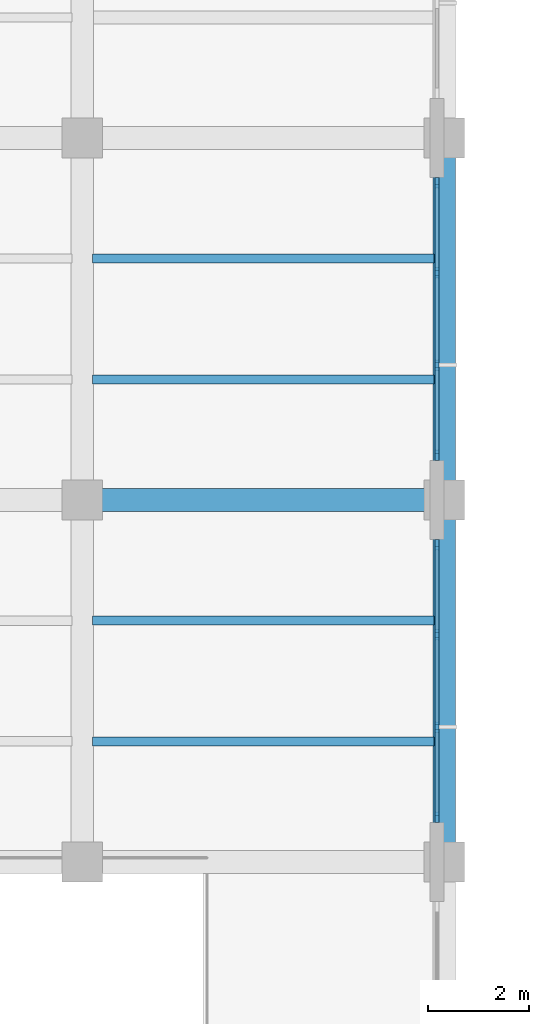
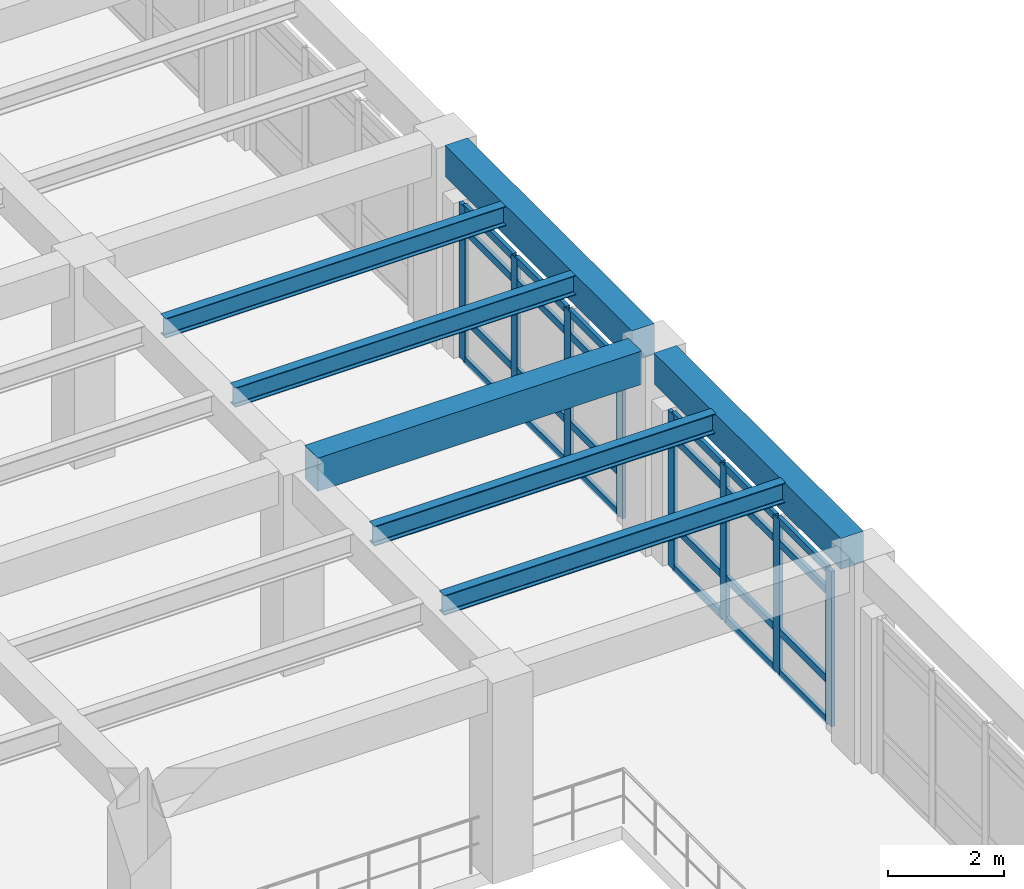
# One storey, part 12 of 67: 32 members, 7 beams, 2 elements without a shape of their own.
"""IFC4 building model written with IfcOpenShell, lengths in metres."""

from ifc_helpers import new_model, si_unit, direction, frame, origin, origin_2d, place, context, subcontext, project, spatial, rectangle, i_section, extrude, material, layer, layer_set, material_profile, profile_set, type_object, element, aggregate, save


model = new_model("IFC4")

# Units and contexts
model_context = context("Model", 3, precision=1e-05, world=origin(), true_north=direction((0.0, 1.0)))
body_context = subcontext(model_context, "Body", "Model", "MODEL_VIEW")
ifc_project = project(units=[si_unit("LENGTHUNIT", "METRE"), si_unit("AREAUNIT", "SQUARE_METRE"), si_unit("VOLUMEUNIT", "CUBIC_METRE"), si_unit("PLANEANGLEUNIT", "RADIAN"), si_unit("MASSUNIT", "GRAM", prefix="KILO")], contexts=[model_context])

# Site, building, storey
site_placement = place(None, origin())
site = spatial("IfcSite", under=ifc_project, at=site_placement, CompositionType="ELEMENT")
building_placement = place(site_placement, origin())
building = spatial("IfcBuilding", under=site, at=building_placement, Name="Solenvale Faculty of Natural Sciences", CompositionType="ELEMENT")
storey_placement = place(building_placement, frame((0.0, 0.0, 13.5)))
storey = spatial("IfcBuildingStorey", under=building, at=storey_placement, Name="L03", CompositionType="ELEMENT", Elevation=13.5)

# Beams
ifc_material_1 = material(Name="Concrete 40 MPa", Category="concrete")
ifc_material_profile_1 = material_profile(ifc_material_1, rectangle(XDim=0.449951171875, YDim=0.64990234375, at=origin_2d()), Name="RC-BM-450x650")
ifc_profile_set_1 = profile_set([ifc_material_profile_1], Name="Concrete 40 MPa")
beam_type_1 = type_object("IfcBeamType", Name="BM-RC-450x650", PredefinedType="BEAM", material=ifc_profile_set_1)
for number, where, z_axis, x_axis, name in (
    (1, (57.60009765625, 65.179931640625, 3.89501953125), (0.0, 1.0, 0.0), (-1.0, 0.0, 0.0), "L03 Y-Girder X57.6 (64.8..72.0)"),
    (2, (57.60009765625, 72.3798828125, 3.89501953125), (0.0, 1.0, 0.0), (-1.0, 0.0, 0.0), "L03 Y-Girder X57.6 (72.0..79.2)"),
):
    element("IfcBeam", number, at=place(storey_placement, frame(where, z_axis=z_axis, x_axis=x_axis)), inside=storey, type_object=beam_type_1, Name=name, PredefinedType="BEAM", context=body_context, shape_type="SweptSolid", body=[
        extrude(rectangle(XDim=0.449951171875, YDim=0.64990234375, at=origin_2d()), origin(), (0.0, 0.0, 1.0), 6.440185546875),
    ])
ifc_material_profile_2 = material_profile(ifc_material_1, rectangle(XDim=0.449951171875, YDim=0.699951171875, at=origin_2d()), Name="RC-BM-450x700")
ifc_profile_set_2 = profile_set([ifc_material_profile_2], Name="Concrete 40 MPa")
beam_type_2 = type_object("IfcBeamType", Name="BM-RC-450x700", PredefinedType="BEAM", material=ifc_profile_set_2)
beam_placement = place(storey_placement, frame((50.780029296875, 72.0, 3.8701171875), z_axis=(1.0, 0.0, 0.0), x_axis=(0.0, 1.0, 0.0)))
element("IfcBeam", 3, at=beam_placement, inside=storey, type_object=beam_type_2, Name="L03 X-Girder Y72.0 (50.4..57.6)", PredefinedType="BEAM", context=body_context, shape_type="SweptSolid", body=[
    extrude(rectangle(XDim=0.449951171875, YDim=0.699951171875, at=origin_2d()), origin(), (0.0, 0.0, 1.0), 6.43994140625),
])
ifc_material_2 = material(Name="Steel S355", Category="steel")
ifc_material_profile_3 = material_profile(ifc_material_2, i_section(OverallWidth=0.178955078125, OverallDepth=0.409912109375, WebThickness=0.0087890625, FlangeThickness=0.014404296875, FilletRadius=0.01611328125, at=origin_2d()), Name="W410x67")
ifc_profile_set_3 = profile_set([ifc_material_profile_3], Name="Steel S355")
beam_type_3 = type_object("IfcBeamType", Name="BM-STL-W410x67", PredefinedType="JOIST", material=ifc_profile_set_3)
for number, where, z_axis, x_axis, name in (
    (4, (50.60498046875, 74.39990234375, 4.014892578125), (1.0, 0.0, 0.0), (0.0, 1.0, 0.0), "L03 Composite Floor Joist (8,11).1"),
    (5, (50.60498046875, 76.800048828125, 4.014892578125), (1.0, 0.0, 0.0), (0.0, 1.0, 0.0), "L03 Composite Floor Joist (8,11).2"),
):
    element("IfcBeam", number, at=place(storey_placement, frame(where, z_axis=z_axis, x_axis=x_axis)), inside=storey, type_object=beam_type_3, Name=name, PredefinedType="JOIST", context=body_context, shape_type="SweptSolid", body=[
        extrude(i_section(OverallWidth=0.178955078125, OverallDepth=0.409912109375, WebThickness=0.0087890625, FlangeThickness=0.014404296875, FilletRadius=0.01611328125, at=origin_2d()), origin(), (0.0, 0.0, 1.0), 6.7900390625),
    ])
ifc_material_profile_4 = material_profile(ifc_material_2, i_section(OverallWidth=0.180908203125, OverallDepth=0.4169921875, WebThickness=0.010986328125, FlangeThickness=0.018310546875, FilletRadius=0.01611328125, at=origin_2d()), Name="W410x85")
ifc_profile_set_4 = profile_set([ifc_material_profile_4], Name="Steel S355")
beam_type_4 = type_object("IfcBeamType", Name="BM-STL-W410x85", PredefinedType="JOIST", material=ifc_profile_set_4)
for number, where, z_axis, x_axis, name in (
    (6, (50.60498046875, 67.199951171875, 4.011474609375), (1.0, 0.0, 0.0), (0.0, 1.0, 0.0), "L03 Composite Floor Joist (8,10).1"),
    (7, (50.60498046875, 69.60009765625, 4.011474609375), (1.0, 0.0, 0.0), (0.0, 1.0, 0.0), "L03 Composite Floor Joist (8,10).2"),
):
    element("IfcBeam", number, at=place(storey_placement, frame(where, z_axis=z_axis, x_axis=x_axis)), inside=storey, type_object=beam_type_4, Name=name, PredefinedType="JOIST", context=body_context, shape_type="SweptSolid", body=[
        extrude(i_section(OverallWidth=0.180908203125, OverallDepth=0.4169921875, WebThickness=0.010986328125, FlangeThickness=0.018310546875, FilletRadius=0.01611328125, at=origin_2d()), origin(), (0.0, 0.0, 1.0), 6.7900390625),
    ])

# Curtain wall, members
ifc_material_3 = material(Name="Anodised bronze aluminium", Category="aluminium")
ifc_layer = layer(ifc_material_3, 0.215087890625)
ifc_layer_set = layer_set([ifc_layer], Name="Anodised bronze aluminium")
curtain_wall_type = type_object("IfcCurtainWallType", Name="CW-ATR-UNIT", PredefinedType="USERDEFINED", material=ifc_layer_set)
curtain_wall_1_placement = place(storey_placement, origin())
curtain_wall_1 = element("IfcCurtainWall", 8, at=curtain_wall_1_placement, inside=storey, type_object=curtain_wall_type, Name="L03 Curtain Wall CW-L03-P1-E1-B5", ObjectType="UNITISED CURTAIN WALL", PredefinedType="USERDEFINED")
ifc_material_profile_5 = material_profile(ifc_material_3, rectangle(XDim=0.074951171875, YDim=0.2099609375, at=origin_2d()), Name="ALU-MUL-75x210")
ifc_profile_set_5 = profile_set([ifc_material_profile_5], Name="Anodised bronze aluminium")
member_type_1 = type_object("IfcMemberType", Name="CWM-ALU-75x210", PredefinedType="MULLION", material=ifc_profile_set_5)
member_1_placement = place(storey_placement, frame((57.45751953125, 65.6875, 0.0), z_axis=(0.0, 0.0, 1.0), x_axis=(-1.0, 0.0, 0.0)))
member_1 = element("IfcMember", 9, at=member_1_placement, type_object=member_type_1, Name="CW-01 mullion 1", PredefinedType="MULLION", context=body_context, shape_type="SweptSolid", body=[
    extrude(rectangle(XDim=0.074951171875, YDim=0.2099609375, at=origin_2d()), origin(), (0.0, 0.0, 1.0), 3.260009765625),
])
member_2_placement = place(storey_placement, frame((57.45751953125, 67.4833984375, 0.0), z_axis=(0.0, 0.0, 1.0), x_axis=(-1.0, 0.0, 0.0)))
member_2 = element("IfcMember", 10, at=member_2_placement, type_object=member_type_1, Name="CW-01 mullion 2", PredefinedType="MULLION", context=body_context, shape_type="SweptSolid", body=[
    extrude(rectangle(XDim=0.074951171875, YDim=0.2099609375, at=origin_2d()), origin(), (0.0, 0.0, 1.0), 3.260009765625),
])
member_3_placement = place(storey_placement, frame((57.45751953125, 69.316650390625, 0.0), z_axis=(0.0, 0.0, 1.0), x_axis=(-1.0, 0.0, 0.0)))
member_3 = element("IfcMember", 11, at=member_3_placement, type_object=member_type_1, Name="CW-01 mullion 3", PredefinedType="MULLION", context=body_context, shape_type="SweptSolid", body=[
    extrude(rectangle(XDim=0.074951171875, YDim=0.2099609375, at=origin_2d()), origin(), (0.0, 0.0, 1.0), 3.260009765625),
])
member_4_placement = place(storey_placement, frame((57.45751953125, 71.112548828125, 0.0), z_axis=(0.0, 0.0, 1.0), x_axis=(-1.0, 0.0, 0.0)))
member_4 = element("IfcMember", 12, at=member_4_placement, type_object=member_type_1, Name="CW-01 mullion 4", PredefinedType="MULLION", context=body_context, shape_type="SweptSolid", body=[
    extrude(rectangle(XDim=0.074951171875, YDim=0.2099609375, at=origin_2d()), origin(), (0.0, 0.0, 1.0), 3.260009765625),
])

curtain_wall_2_placement = place(storey_placement, origin())
curtain_wall_2 = element("IfcCurtainWall", 13, at=curtain_wall_2_placement, inside=storey, type_object=curtain_wall_type, Name="L03 Curtain Wall CW-L03-P1-E1-B6", ObjectType="UNITISED CURTAIN WALL", PredefinedType="USERDEFINED")
member_5_placement = place(storey_placement, frame((57.45751953125, 72.887451171875, 0.0), z_axis=(0.0, 0.0, 1.0), x_axis=(-1.0, 0.0, 0.0)))
member_5 = element("IfcMember", 14, at=member_5_placement, type_object=member_type_1, Name="CW-01 mullion 1", PredefinedType="MULLION", context=body_context, shape_type="SweptSolid", body=[
    extrude(rectangle(XDim=0.074951171875, YDim=0.2099609375, at=origin_2d()), origin(), (0.0, 0.0, 1.0), 3.260009765625),
])
member_6_placement = place(storey_placement, frame((57.45751953125, 74.683349609375, 0.0), z_axis=(0.0, 0.0, 1.0), x_axis=(-1.0, 0.0, 0.0)))
member_6 = element("IfcMember", 15, at=member_6_placement, type_object=member_type_1, Name="CW-01 mullion 2", PredefinedType="MULLION", context=body_context, shape_type="SweptSolid", body=[
    extrude(rectangle(XDim=0.074951171875, YDim=0.2099609375, at=origin_2d()), origin(), (0.0, 0.0, 1.0), 3.260009765625),
])
member_7_placement = place(storey_placement, frame((57.45751953125, 76.5166015625, 0.0), z_axis=(0.0, 0.0, 1.0), x_axis=(-1.0, 0.0, 0.0)))
member_7 = element("IfcMember", 16, at=member_7_placement, type_object=member_type_1, Name="CW-01 mullion 3", PredefinedType="MULLION", context=body_context, shape_type="SweptSolid", body=[
    extrude(rectangle(XDim=0.074951171875, YDim=0.2099609375, at=origin_2d()), origin(), (0.0, 0.0, 1.0), 3.260009765625),
])
member_8_placement = place(storey_placement, frame((57.45751953125, 78.3125, 0.0), z_axis=(0.0, 0.0, 1.0), x_axis=(-1.0, 0.0, 0.0)))
member_8 = element("IfcMember", 17, at=member_8_placement, type_object=member_type_1, Name="CW-01 mullion 4", PredefinedType="MULLION", context=body_context, shape_type="SweptSolid", body=[
    extrude(rectangle(XDim=0.074951171875, YDim=0.2099609375, at=origin_2d()), origin(), (0.0, 0.0, 1.0), 3.260009765625),
])

# Member
ifc_material_profile_6 = material_profile(ifc_material_3, rectangle(XDim=0.074951171875, YDim=0.155029296875, at=origin_2d()), Name="ALU-TRN-75x155")
ifc_profile_set_6 = profile_set([ifc_material_profile_6], Name="Anodised bronze aluminium")
member_type_2 = type_object("IfcMemberType", Name="CWT-ALU-75x155", PredefinedType="USERDEFINED", material=ifc_profile_set_6)
member_9_placement = place(storey_placement, frame((57.45751953125, 65.72509765625, 0.03759765625), z_axis=(0.0, 1.0, 0.0), x_axis=(-1.0, 0.0, 0.0)))
member_9 = element("IfcMember", 18, at=member_9_placement, type_object=member_type_2, Name="CW-01 transom 1.1", ObjectType="TRANSOM", PredefinedType="USERDEFINED", context=body_context, shape_type="SweptSolid", body=[
    extrude(rectangle(XDim=0.074951171875, YDim=0.155029296875, at=origin_2d()), origin(), (0.0, 0.0, 1.0), 1.720703125),
])

member_10_placement = place(storey_placement, frame((57.45751953125, 65.72509765625, 0.89990234375), z_axis=(0.0, 1.0, 0.0), x_axis=(-1.0, 0.0, 0.0)))
member_10 = element("IfcMember", 19, at=member_10_placement, type_object=member_type_2, Name="CW-01 transom 1.2", ObjectType="TRANSOM", PredefinedType="USERDEFINED", context=body_context, shape_type="SweptSolid", body=[
    extrude(rectangle(XDim=0.074951171875, YDim=0.155029296875, at=origin_2d()), origin(), (0.0, 0.0, 1.0), 1.720703125),
])

member_11_placement = place(storey_placement, frame((57.45751953125, 65.72509765625, 2.760009765625), z_axis=(0.0, 1.0, 0.0), x_axis=(-1.0, 0.0, 0.0)))
member_11 = element("IfcMember", 20, at=member_11_placement, type_object=member_type_2, Name="CW-01 transom 1.3", ObjectType="TRANSOM", PredefinedType="USERDEFINED", context=body_context, shape_type="SweptSolid", body=[
    extrude(rectangle(XDim=0.074951171875, YDim=0.155029296875, at=origin_2d()), origin(), (0.0, 0.0, 1.0), 1.720703125),
])

member_12_placement = place(storey_placement, frame((57.45751953125, 65.72509765625, 3.222412109375), z_axis=(0.0, 1.0, 0.0), x_axis=(-1.0, 0.0, 0.0)))
member_12 = element("IfcMember", 21, at=member_12_placement, type_object=member_type_2, Name="CW-01 transom 1.4", ObjectType="TRANSOM", PredefinedType="USERDEFINED", context=body_context, shape_type="SweptSolid", body=[
    extrude(rectangle(XDim=0.074951171875, YDim=0.155029296875, at=origin_2d()), origin(), (0.0, 0.0, 1.0), 1.720703125),
])

member_13_placement = place(storey_placement, frame((57.45751953125, 67.520751953125, 0.03759765625), z_axis=(0.0, 1.0, 0.0), x_axis=(-1.0, 0.0, 0.0)))
member_13 = element("IfcMember", 22, at=member_13_placement, type_object=member_type_2, Name="CW-01 transom 2.1", ObjectType="TRANSOM", PredefinedType="USERDEFINED", context=body_context, shape_type="SweptSolid", body=[
    extrude(rectangle(XDim=0.074951171875, YDim=0.155029296875, at=origin_2d()), origin(), (0.0, 0.0, 1.0), 1.75830078125),
])

member_14_placement = place(storey_placement, frame((57.45751953125, 67.520751953125, 0.89990234375), z_axis=(0.0, 1.0, 0.0), x_axis=(-1.0, 0.0, 0.0)))
member_14 = element("IfcMember", 23, at=member_14_placement, type_object=member_type_2, Name="CW-01 transom 2.2", ObjectType="TRANSOM", PredefinedType="USERDEFINED", context=body_context, shape_type="SweptSolid", body=[
    extrude(rectangle(XDim=0.074951171875, YDim=0.155029296875, at=origin_2d()), origin(), (0.0, 0.0, 1.0), 1.75830078125),
])

member_15_placement = place(storey_placement, frame((57.45751953125, 67.520751953125, 2.760009765625), z_axis=(0.0, 1.0, 0.0), x_axis=(-1.0, 0.0, 0.0)))
member_15 = element("IfcMember", 24, at=member_15_placement, type_object=member_type_2, Name="CW-01 transom 2.3", ObjectType="TRANSOM", PredefinedType="USERDEFINED", context=body_context, shape_type="SweptSolid", body=[
    extrude(rectangle(XDim=0.074951171875, YDim=0.155029296875, at=origin_2d()), origin(), (0.0, 0.0, 1.0), 1.75830078125),
])

member_16_placement = place(storey_placement, frame((57.45751953125, 67.520751953125, 3.222412109375), z_axis=(0.0, 1.0, 0.0), x_axis=(-1.0, 0.0, 0.0)))
member_16 = element("IfcMember", 25, at=member_16_placement, type_object=member_type_2, Name="CW-01 transom 2.4", ObjectType="TRANSOM", PredefinedType="USERDEFINED", context=body_context, shape_type="SweptSolid", body=[
    extrude(rectangle(XDim=0.074951171875, YDim=0.155029296875, at=origin_2d()), origin(), (0.0, 0.0, 1.0), 1.75830078125),
])

member_17_placement = place(storey_placement, frame((57.45751953125, 69.354248046875, 0.03759765625), z_axis=(0.0, 1.0, 0.0), x_axis=(-1.0, 0.0, 0.0)))
member_17 = element("IfcMember", 26, at=member_17_placement, type_object=member_type_2, Name="CW-01 transom 3.1", ObjectType="TRANSOM", PredefinedType="USERDEFINED", context=body_context, shape_type="SweptSolid", body=[
    extrude(rectangle(XDim=0.074951171875, YDim=0.155029296875, at=origin_2d()), origin(), (0.0, 0.0, 1.0), 1.720703125),
])

member_18_placement = place(storey_placement, frame((57.45751953125, 69.354248046875, 0.89990234375), z_axis=(0.0, 1.0, 0.0), x_axis=(-1.0, 0.0, 0.0)))
member_18 = element("IfcMember", 27, at=member_18_placement, type_object=member_type_2, Name="CW-01 transom 3.2", ObjectType="TRANSOM", PredefinedType="USERDEFINED", context=body_context, shape_type="SweptSolid", body=[
    extrude(rectangle(XDim=0.074951171875, YDim=0.155029296875, at=origin_2d()), origin(), (0.0, 0.0, 1.0), 1.720703125),
])

member_19_placement = place(storey_placement, frame((57.45751953125, 69.354248046875, 2.760009765625), z_axis=(0.0, 1.0, 0.0), x_axis=(-1.0, 0.0, 0.0)))
member_19 = element("IfcMember", 28, at=member_19_placement, type_object=member_type_2, Name="CW-01 transom 3.3", ObjectType="TRANSOM", PredefinedType="USERDEFINED", context=body_context, shape_type="SweptSolid", body=[
    extrude(rectangle(XDim=0.074951171875, YDim=0.155029296875, at=origin_2d()), origin(), (0.0, 0.0, 1.0), 1.720703125),
])

member_20_placement = place(storey_placement, frame((57.45751953125, 69.354248046875, 3.222412109375), z_axis=(0.0, 1.0, 0.0), x_axis=(-1.0, 0.0, 0.0)))
member_20 = element("IfcMember", 29, at=member_20_placement, type_object=member_type_2, Name="CW-01 transom 3.4", ObjectType="TRANSOM", PredefinedType="USERDEFINED", context=body_context, shape_type="SweptSolid", body=[
    extrude(rectangle(XDim=0.074951171875, YDim=0.155029296875, at=origin_2d()), origin(), (0.0, 0.0, 1.0), 1.720703125),
])

aggregate(curtain_wall_1, [member_1, member_2, member_3, member_4, member_9, member_10, member_11, member_12, member_13, member_14, member_15, member_16, member_17, member_18, member_19, member_20])

member_21_placement = place(storey_placement, frame((57.45751953125, 72.925048828125, 0.03759765625), z_axis=(0.0, 1.0, 0.0), x_axis=(-1.0, 0.0, 0.0)))
member_21 = element("IfcMember", 30, at=member_21_placement, type_object=member_type_2, Name="CW-01 transom 1.1", ObjectType="TRANSOM", PredefinedType="USERDEFINED", context=body_context, shape_type="SweptSolid", body=[
    extrude(rectangle(XDim=0.074951171875, YDim=0.155029296875, at=origin_2d()), origin(), (0.0, 0.0, 1.0), 1.720703125),
])

member_22_placement = place(storey_placement, frame((57.45751953125, 72.925048828125, 0.89990234375), z_axis=(0.0, 1.0, 0.0), x_axis=(-1.0, 0.0, 0.0)))
member_22 = element("IfcMember", 31, at=member_22_placement, type_object=member_type_2, Name="CW-01 transom 1.2", ObjectType="TRANSOM", PredefinedType="USERDEFINED", context=body_context, shape_type="SweptSolid", body=[
    extrude(rectangle(XDim=0.074951171875, YDim=0.155029296875, at=origin_2d()), origin(), (0.0, 0.0, 1.0), 1.720703125),
])

member_23_placement = place(storey_placement, frame((57.45751953125, 72.925048828125, 2.760009765625), z_axis=(0.0, 1.0, 0.0), x_axis=(-1.0, 0.0, 0.0)))
member_23 = element("IfcMember", 32, at=member_23_placement, type_object=member_type_2, Name="CW-01 transom 1.3", ObjectType="TRANSOM", PredefinedType="USERDEFINED", context=body_context, shape_type="SweptSolid", body=[
    extrude(rectangle(XDim=0.074951171875, YDim=0.155029296875, at=origin_2d()), origin(), (0.0, 0.0, 1.0), 1.720703125),
])

member_24_placement = place(storey_placement, frame((57.45751953125, 72.925048828125, 3.222412109375), z_axis=(0.0, 1.0, 0.0), x_axis=(-1.0, 0.0, 0.0)))
member_24 = element("IfcMember", 33, at=member_24_placement, type_object=member_type_2, Name="CW-01 transom 1.4", ObjectType="TRANSOM", PredefinedType="USERDEFINED", context=body_context, shape_type="SweptSolid", body=[
    extrude(rectangle(XDim=0.074951171875, YDim=0.155029296875, at=origin_2d()), origin(), (0.0, 0.0, 1.0), 1.720703125),
])

member_25_placement = place(storey_placement, frame((57.45751953125, 74.720947265625, 0.03759765625), z_axis=(0.0, 1.0, 0.0), x_axis=(-1.0, 0.0, 0.0)))
member_25 = element("IfcMember", 34, at=member_25_placement, type_object=member_type_2, Name="CW-01 transom 2.1", ObjectType="TRANSOM", PredefinedType="USERDEFINED", context=body_context, shape_type="SweptSolid", body=[
    extrude(rectangle(XDim=0.074951171875, YDim=0.155029296875, at=origin_2d()), origin(), (0.0, 0.0, 1.0), 1.75830078125),
])

member_26_placement = place(storey_placement, frame((57.45751953125, 74.720947265625, 0.89990234375), z_axis=(0.0, 1.0, 0.0), x_axis=(-1.0, 0.0, 0.0)))
member_26 = element("IfcMember", 35, at=member_26_placement, type_object=member_type_2, Name="CW-01 transom 2.2", ObjectType="TRANSOM", PredefinedType="USERDEFINED", context=body_context, shape_type="SweptSolid", body=[
    extrude(rectangle(XDim=0.074951171875, YDim=0.155029296875, at=origin_2d()), origin(), (0.0, 0.0, 1.0), 1.75830078125),
])

member_27_placement = place(storey_placement, frame((57.45751953125, 74.720947265625, 2.760009765625), z_axis=(0.0, 1.0, 0.0), x_axis=(-1.0, 0.0, 0.0)))
member_27 = element("IfcMember", 36, at=member_27_placement, type_object=member_type_2, Name="CW-01 transom 2.3", ObjectType="TRANSOM", PredefinedType="USERDEFINED", context=body_context, shape_type="SweptSolid", body=[
    extrude(rectangle(XDim=0.074951171875, YDim=0.155029296875, at=origin_2d()), origin(), (0.0, 0.0, 1.0), 1.75830078125),
])

member_28_placement = place(storey_placement, frame((57.45751953125, 74.720947265625, 3.222412109375), z_axis=(0.0, 1.0, 0.0), x_axis=(-1.0, 0.0, 0.0)))
member_28 = element("IfcMember", 37, at=member_28_placement, type_object=member_type_2, Name="CW-01 transom 2.4", ObjectType="TRANSOM", PredefinedType="USERDEFINED", context=body_context, shape_type="SweptSolid", body=[
    extrude(rectangle(XDim=0.074951171875, YDim=0.155029296875, at=origin_2d()), origin(), (0.0, 0.0, 1.0), 1.75830078125),
])

member_29_placement = place(storey_placement, frame((57.45751953125, 76.55419921875, 0.03759765625), z_axis=(0.0, 1.0, 0.0), x_axis=(-1.0, 0.0, 0.0)))
member_29 = element("IfcMember", 38, at=member_29_placement, type_object=member_type_2, Name="CW-01 transom 3.1", ObjectType="TRANSOM", PredefinedType="USERDEFINED", context=body_context, shape_type="SweptSolid", body=[
    extrude(rectangle(XDim=0.074951171875, YDim=0.155029296875, at=origin_2d()), origin(), (0.0, 0.0, 1.0), 1.720703125),
])

member_30_placement = place(storey_placement, frame((57.45751953125, 76.55419921875, 0.89990234375), z_axis=(0.0, 1.0, 0.0), x_axis=(-1.0, 0.0, 0.0)))
member_30 = element("IfcMember", 39, at=member_30_placement, type_object=member_type_2, Name="CW-01 transom 3.2", ObjectType="TRANSOM", PredefinedType="USERDEFINED", context=body_context, shape_type="SweptSolid", body=[
    extrude(rectangle(XDim=0.074951171875, YDim=0.155029296875, at=origin_2d()), origin(), (0.0, 0.0, 1.0), 1.720703125),
])

member_31_placement = place(storey_placement, frame((57.45751953125, 76.55419921875, 2.760009765625), z_axis=(0.0, 1.0, 0.0), x_axis=(-1.0, 0.0, 0.0)))
member_31 = element("IfcMember", 40, at=member_31_placement, type_object=member_type_2, Name="CW-01 transom 3.3", ObjectType="TRANSOM", PredefinedType="USERDEFINED", context=body_context, shape_type="SweptSolid", body=[
    extrude(rectangle(XDim=0.074951171875, YDim=0.155029296875, at=origin_2d()), origin(), (0.0, 0.0, 1.0), 1.720703125),
])

member_32_placement = place(storey_placement, frame((57.45751953125, 76.55419921875, 3.222412109375), z_axis=(0.0, 1.0, 0.0), x_axis=(-1.0, 0.0, 0.0)))
member_32 = element("IfcMember", 41, at=member_32_placement, type_object=member_type_2, Name="CW-01 transom 3.4", ObjectType="TRANSOM", PredefinedType="USERDEFINED", context=body_context, shape_type="SweptSolid", body=[
    extrude(rectangle(XDim=0.074951171875, YDim=0.155029296875, at=origin_2d()), origin(), (0.0, 0.0, 1.0), 1.720703125),
])

aggregate(curtain_wall_2, [member_5, member_6, member_7, member_8, member_21, member_22, member_23, member_24, member_25, member_26, member_27, member_28, member_29, member_30, member_31, member_32])

save(model, "model.ifc")
